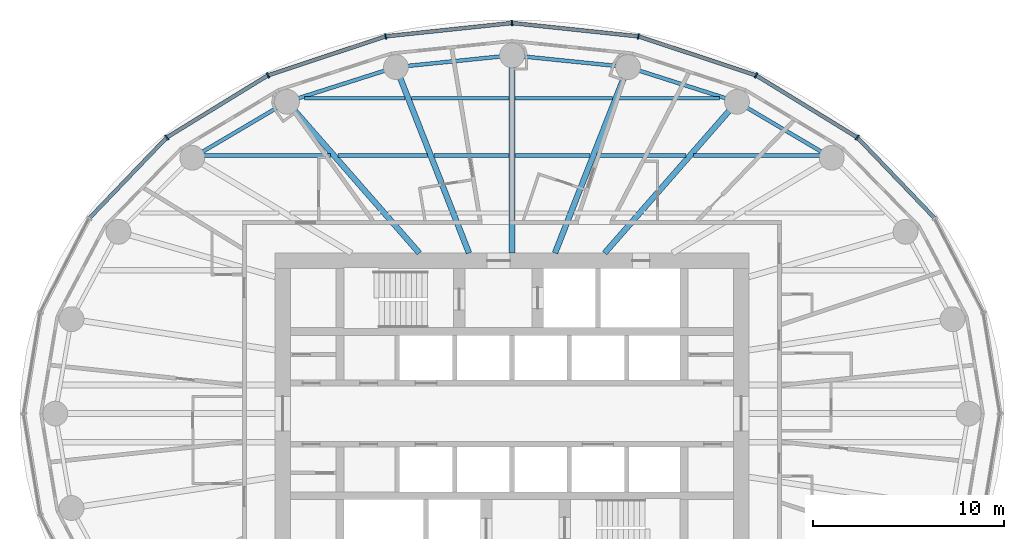
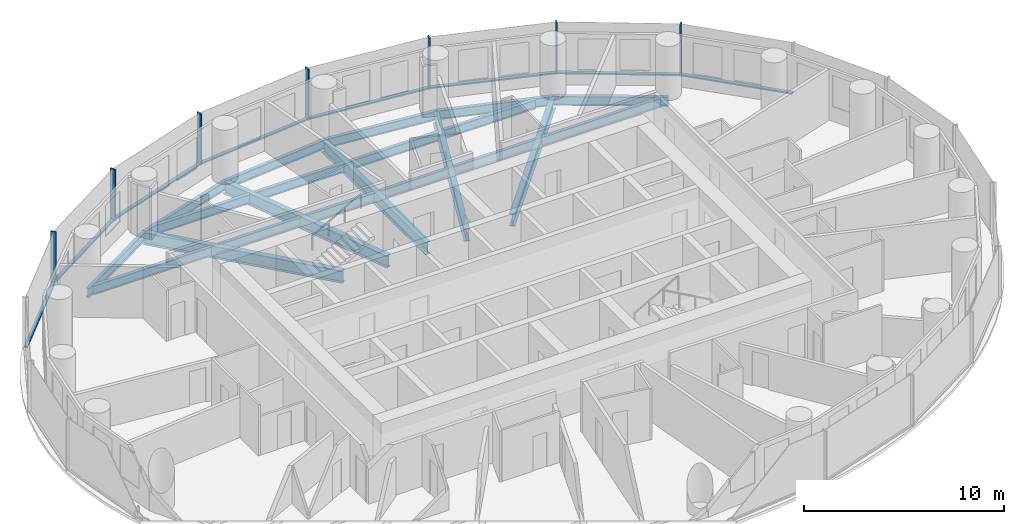
# One storey, part 4 of 13: 21 beams, 15 members, 2 elements without a shape of their own.
"""IFC4 building model written with IfcOpenShell, lengths in metres."""

from ifc_helpers import new_model, si_unit, direction, frame, origin, origin_2d, place, context, subcontext, project, spatial, rectangle, i_section, extrude, material, material_profile, profile_set, type_object, element, aggregate, save


model = new_model("IFC4")

# Units and contexts
model_context = context("Model", 3, precision=1e-05, world=origin(), true_north=direction((0.0, 1.0)))
body_context = subcontext(model_context, "Body", "Model", "MODEL_VIEW")
ifc_project = project(units=[si_unit("LENGTHUNIT", "METRE"), si_unit("AREAUNIT", "SQUARE_METRE"), si_unit("VOLUMEUNIT", "CUBIC_METRE"), si_unit("PLANEANGLEUNIT", "RADIAN"), si_unit("MASSUNIT", "GRAM", prefix="KILO")], contexts=[model_context])

# Site, building, storey
site_placement = place(None, origin())
site = spatial("IfcSite", under=ifc_project, at=site_placement, CompositionType="ELEMENT")
building_placement = place(site_placement, origin())
building = spatial("IfcBuilding", under=site, at=building_placement, Name="Hankou Lantern Tower", CompositionType="ELEMENT")
storey_placement = place(building_placement, frame((0.0, 0.0, 128.699951171875)))
storey = spatial("IfcBuildingStorey", under=building, at=storey_placement, Name="L33", CompositionType="ELEMENT", Elevation=128.699951171875)

# Beams
ifc_material_1 = material(Name="Steel Q355B", Category="steel")
ifc_material_profile_1 = material_profile(ifc_material_1, i_section(OverallWidth=0.199951171875, OverallDepth=0.550048828125, WebThickness=0.010009765625, FlangeThickness=0.01611328125, FilletRadius=0.012939453125, at=origin_2d()), Name="HN550x200x10x16")
ifc_profile_set_1 = profile_set([ifc_material_profile_1], Name="Steel Q355B")
beam_type_1 = type_object("IfcBeamType", Name="EB6 RING BEAM HN550x200x10x16", PredefinedType="SPANDREL", material=ifc_profile_set_1)
beam_1_placement = place(storey_placement, frame((16.73388671875, 13.38720703125, -0.454833984375), z_axis=(-0.860988974188, 0.508623619513, 0.0), x_axis=(-0.508623619513, -0.860988974188, 0.0)))
element("IfcBeam", 1, at=beam_1_placement, inside=storey, type_object=beam_type_1, Name="Ring beam R04-R05 L33", PredefinedType="SPANDREL", context=body_context, shape_type="SweptSolid", body=[
    extrude(i_section(OverallWidth=0.199951171875, OverallDepth=0.550048828125, WebThickness=0.010009765625, FlangeThickness=0.01611328125, FilletRadius=0.012939453125, at=origin_2d()), origin(), (0.0, 0.0, 1.0), 5.759033203125),
])
beam_2_placement = place(storey_placement, frame((11.775390625, 16.31640625, -0.454833984375), z_axis=(-0.952731090451, 0.303814860215, 0.0), x_axis=(-0.303814860215, -0.952731090451, 0.0)))
element("IfcBeam", 2, at=beam_2_placement, inside=storey, type_object=beam_type_1, Name="Ring beam R05-R06 L33", PredefinedType="SPANDREL", context=body_context, shape_type="SweptSolid", body=[
    extrude(i_section(OverallWidth=0.199951171875, OverallDepth=0.550048828125, WebThickness=0.010009765625, FlangeThickness=0.01611328125, FilletRadius=0.012939453125, at=origin_2d()), origin(), (0.0, 0.0, 1.0), 5.984375),
])
for number, where, z_axis, x_axis, name in (
    (3, (6.073974609375, 18.134521484375, -0.454833984375), (-0.994905271594, 0.100814188259, 0.0), (-0.100814188259, -0.994905271594, 0.0), "Ring beam R06-R07 L33"),
    (4, (0.0, 18.75, -0.454833984375), (-0.994905271594, -0.100814188259, 0.0), (0.100814188259, -0.994905271594, 0.0), "Ring beam R07-R08 L33"),
):
    element("IfcBeam", number, at=place(storey_placement, frame(where, z_axis=z_axis, x_axis=x_axis)), inside=storey, type_object=beam_type_1, Name=name, PredefinedType="SPANDREL", context=body_context, shape_type="SweptSolid", body=[
        extrude(i_section(OverallWidth=0.199951171875, OverallDepth=0.550048828125, WebThickness=0.010009765625, FlangeThickness=0.01611328125, FilletRadius=0.012939453125, at=origin_2d()), origin(), (0.0, 0.0, 1.0), 6.10498046875),
    ])
beam_3_placement = place(storey_placement, frame((-6.073974609375, 18.134521484375, -0.454833984375), z_axis=(-0.952731090451, -0.303814860215, 0.0), x_axis=(0.303814860215, -0.952731090451, 0.0)))
element("IfcBeam", 5, at=beam_3_placement, inside=storey, type_object=beam_type_1, Name="Ring beam R08-R09 L33", PredefinedType="SPANDREL", context=body_context, shape_type="SweptSolid", body=[
    extrude(i_section(OverallWidth=0.199951171875, OverallDepth=0.550048828125, WebThickness=0.010009765625, FlangeThickness=0.01611328125, FilletRadius=0.012939453125, at=origin_2d()), origin(), (0.0, 0.0, 1.0), 5.984375),
])
beam_4_placement = place(storey_placement, frame((-11.775390625, 16.31640625, -0.454833984375), z_axis=(-0.860988974188, -0.508623619513, 0.0), x_axis=(0.508623619513, -0.860988974188, 0.0)))
element("IfcBeam", 6, at=beam_4_placement, inside=storey, type_object=beam_type_1, Name="Ring beam R09-R10 L33", PredefinedType="SPANDREL", context=body_context, shape_type="SweptSolid", body=[
    extrude(i_section(OverallWidth=0.199951171875, OverallDepth=0.550048828125, WebThickness=0.010009765625, FlangeThickness=0.01611328125, FilletRadius=0.012939453125, at=origin_2d()), origin(), (0.0, 0.0, 1.0), 5.759033203125),
])

# Curtain wall, members
ifc_material_2 = material(Name="Glass, dark grey tinted laminated", Category="glass")
curtain_wall_type = type_object("IfcCurtainWallType", Name="CWB OUTER SKIN MID-RISE", PredefinedType="USERDEFINED", material=ifc_material_2)
curtain_wall_1_placement = place(storey_placement, origin())
curtain_wall_1 = element("IfcCurtainWall", 7, at=curtain_wall_1_placement, inside=storey, type_object=curtain_wall_type, Name="CWB L33 OS1", ObjectType="OUTER SKIN MID-RISE", PredefinedType="USERDEFINED")
ifc_material_3 = material(Name="Aluminium, black anodised", Category="aluminium")
ifc_material_profile_2 = material_profile(ifc_material_3, rectangle(XDim=0.080078125, YDim=0.300048828125, at=origin_2d()), Name="MU1 80X300")
ifc_profile_set_2 = profile_set([ifc_material_profile_2], Name="Aluminium, black anodised")
member_type_1 = type_object("IfcMemberType", Name="MU1 OUTER SKIN MULLION 80X300", PredefinedType="MULLION", material=ifc_profile_set_2)
member_1_placement = place(storey_placement, frame((18.066650390625, 14.453369140625, 0.0), z_axis=(0.0, 0.0, 1.0), x_axis=(-0.780868809444, 0.624695047553, 0.0)))
member_1 = element("IfcMember", 8, at=member_1_placement, type_object=member_type_1, Name="CWB mullion 4", PredefinedType="MULLION", context=body_context, shape_type="SweptSolid", body=[
    extrude(rectangle(XDim=0.080078125, YDim=0.300048828125, at=origin_2d()), origin(), (0.0, 0.0, 1.0), 3.1201171875),
])
member_2_placement = place(storey_placement, frame((12.77490234375, 17.70166015625, 0.0), z_axis=(0.0, 0.0, 1.0), x_axis=(-0.907841299004, 0.419313934686, 0.0)))
member_2 = element("IfcMember", 9, at=member_2_placement, type_object=member_type_1, Name="CWB mullion 5", PredefinedType="MULLION", context=body_context, shape_type="SweptSolid", body=[
    extrude(rectangle(XDim=0.080078125, YDim=0.300048828125, at=origin_2d()), origin(), (0.0, 0.0, 1.0), 3.1201171875),
])
member_3_placement = place(storey_placement, frame((6.61279296875, 19.743408203125, 0.0), z_axis=(0.0, 0.0, 1.0), x_axis=(-0.977787659625, 0.209597931016, 0.0)))
member_3 = element("IfcMember", 10, at=member_3_placement, type_object=member_type_1, Name="CWB mullion 6", PredefinedType="MULLION", context=body_context, shape_type="SweptSolid", body=[
    extrude(rectangle(XDim=0.080078125, YDim=0.300048828125, at=origin_2d()), origin(), (0.0, 0.0, 1.0), 3.1201171875),
])

curtain_wall_2_placement = place(storey_placement, origin())
curtain_wall_2 = element("IfcCurtainWall", 11, at=curtain_wall_2_placement, inside=storey, type_object=curtain_wall_type, Name="CWB L33 OS2", ObjectType="OUTER SKIN MID-RISE", PredefinedType="USERDEFINED")
member_4_placement = place(storey_placement, frame((0.0, 20.43994140625, 0.0), z_axis=(0.0, 0.0, 1.0), x_axis=(-0.994499359107, -0.104742659579, 0.0)))
member_4 = element("IfcMember", 12, at=member_4_placement, type_object=member_type_1, Name="CWB mullion 1", PredefinedType="MULLION", context=body_context, shape_type="SweptSolid", body=[
    extrude(rectangle(XDim=0.080078125, YDim=0.300048828125, at=origin_2d()), origin(), (0.0, 0.0, 1.0), 3.1201171875),
])
member_5_placement = place(storey_placement, frame((-6.61279296875, 19.743408203125, 0.0), z_axis=(0.0, 0.0, 1.0), x_axis=(-0.977787659625, -0.209597931016, 0.0)))
member_5 = element("IfcMember", 13, at=member_5_placement, type_object=member_type_1, Name="CWB mullion 2", PredefinedType="MULLION", context=body_context, shape_type="SweptSolid", body=[
    extrude(rectangle(XDim=0.080078125, YDim=0.300048828125, at=origin_2d()), origin(), (0.0, 0.0, 1.0), 3.1201171875),
])
member_6_placement = place(storey_placement, frame((-12.77490234375, 17.70166015625, 0.0), z_axis=(0.0, 0.0, 1.0), x_axis=(-0.907841299004, -0.419313934686, 0.0)))
member_6 = element("IfcMember", 14, at=member_6_placement, type_object=member_type_1, Name="CWB mullion 3", PredefinedType="MULLION", context=body_context, shape_type="SweptSolid", body=[
    extrude(rectangle(XDim=0.080078125, YDim=0.300048828125, at=origin_2d()), origin(), (0.0, 0.0, 1.0), 3.1201171875),
])
member_7_placement = place(storey_placement, frame((-18.066650390625, 14.453369140625, 0.0), z_axis=(0.0, 0.0, 1.0), x_axis=(-0.780868809444, -0.624695047553, 0.0)))
member_7 = element("IfcMember", 15, at=member_7_placement, type_object=member_type_1, Name="CWB mullion 4", PredefinedType="MULLION", context=body_context, shape_type="SweptSolid", body=[
    extrude(rectangle(XDim=0.080078125, YDim=0.300048828125, at=origin_2d()), origin(), (0.0, 0.0, 1.0), 3.1201171875),
])

# Beams
ifc_material_4 = material(Name="Steel Q355B", Category="steel")
ifc_material_profile_3 = material_profile(ifc_material_4, i_section(OverallWidth=0.300048828125, OverallDepth=0.75, WebThickness=0.012939453125, FlangeThickness=0.02392578125, FilletRadius=0.01806640625, at=origin_2d()), Name="HN750x300x13x24")
ifc_profile_set_3 = profile_set([ifc_material_profile_3], Name="Steel Q355B")
beam_type_2 = type_object("IfcBeamType", Name="RB10 RADIAL BEAM HN750x300x13x24", PredefinedType="BEAM", material=ifc_profile_set_3)
beam_5_placement = place(storey_placement, frame((4.849853515625, 8.39990234375, -0.554931640625), z_axis=(0.658429014446, 0.752642832249, 0.0), x_axis=(-0.752642832249, 0.658429014446, 0.0)))
element("IfcBeam", 16, at=beam_5_placement, inside=storey, type_object=beam_type_2, Name="Radial beam R05 L33", PredefinedType="BEAM", context=body_context, shape_type="SweptSolid", body=[
    extrude(i_section(OverallWidth=0.300048828125, OverallDepth=0.75, WebThickness=0.012939453125, FlangeThickness=0.02392578125, FilletRadius=0.01806640625, at=origin_2d()), origin(), (0.0, 0.0, 1.0), 10.518310546875),
])
beam_6_placement = place(storey_placement, frame((2.250732421875, 8.39990234375, -0.554931640625), z_axis=(0.365563535437, 0.930786388791, 0.0), x_axis=(-0.930786388791, 0.365563535437, 0.0)))
element("IfcBeam", 17, at=beam_6_placement, inside=storey, type_object=beam_type_2, Name="Radial beam R06 L33", PredefinedType="BEAM", context=body_context, shape_type="SweptSolid", body=[
    extrude(i_section(OverallWidth=0.300048828125, OverallDepth=0.75, WebThickness=0.012939453125, FlangeThickness=0.02392578125, FilletRadius=0.01806640625, at=origin_2d()), origin(), (0.0, 0.0, 1.0), 10.45849609375),
])
beam_7_placement = place(storey_placement, frame((0.0, 8.39990234375, -0.554931640625), z_axis=(0.0, 1.0, 0.0), x_axis=(-1.0, 0.0, 0.0)))
element("IfcBeam", 18, at=beam_7_placement, inside=storey, type_object=beam_type_2, Name="Radial beam R07 L33", PredefinedType="BEAM", context=body_context, shape_type="SweptSolid", body=[
    extrude(i_section(OverallWidth=0.300048828125, OverallDepth=0.75, WebThickness=0.012939453125, FlangeThickness=0.02392578125, FilletRadius=0.01806640625, at=origin_2d()), origin(), (0.0, 0.0, 1.0), 10.35009765625),
])
beam_8_placement = place(storey_placement, frame((-2.250732421875, 8.39990234375, -0.554931640625), z_axis=(-0.365563535437, 0.930786388791, 0.0), x_axis=(-0.930786388791, -0.365563535437, 0.0)))
element("IfcBeam", 19, at=beam_8_placement, inside=storey, type_object=beam_type_2, Name="Radial beam R08 L33", PredefinedType="BEAM", context=body_context, shape_type="SweptSolid", body=[
    extrude(i_section(OverallWidth=0.300048828125, OverallDepth=0.75, WebThickness=0.012939453125, FlangeThickness=0.02392578125, FilletRadius=0.01806640625, at=origin_2d()), origin(), (0.0, 0.0, 1.0), 10.45849609375),
])
beam_9_placement = place(storey_placement, frame((-4.849853515625, 8.39990234375, -0.554931640625), z_axis=(-0.658429014446, 0.752642832249, 0.0), x_axis=(-0.752642832249, -0.658429014446, 0.0)))
element("IfcBeam", 20, at=beam_9_placement, inside=storey, type_object=beam_type_2, Name="Radial beam R09 L33", PredefinedType="BEAM", context=body_context, shape_type="SweptSolid", body=[
    extrude(i_section(OverallWidth=0.300048828125, OverallDepth=0.75, WebThickness=0.012939453125, FlangeThickness=0.02392578125, FilletRadius=0.01806640625, at=origin_2d()), origin(), (0.0, 0.0, 1.0), 10.518310546875),
])
ifc_material_5 = material(Name="Steel Q355B", Category="steel")
ifc_material_profile_4 = material_profile(ifc_material_5, i_section(OverallWidth=0.199951171875, OverallDepth=0.550048828125, WebThickness=0.010009765625, FlangeThickness=0.01611328125, FilletRadius=0.012939453125, at=origin_2d()), Name="HN550x200x10x16")
ifc_profile_set_4 = profile_set([ifc_material_profile_4], Name="Steel Q355B")
beam_type_3 = type_object("IfcBeamType", Name="SB6 SECONDARY BEAM HN550x200x10x16", PredefinedType="JOIST", material=ifc_profile_set_4)
beam_10_placement = place(storey_placement, frame((-16.34619140625, 13.5, -0.454833984375), z_axis=(1.0, 0.0, 0.0), x_axis=(0.0, 1.0, 0.0)))
element("IfcBeam", 21, at=beam_10_placement, inside=storey, type_object=beam_type_3, Name="Floor joist J043 L33", PredefinedType="JOIST", context=body_context, shape_type="SweptSolid", body=[
    extrude(i_section(OverallWidth=0.199951171875, OverallDepth=0.550048828125, WebThickness=0.010009765625, FlangeThickness=0.01611328125, FilletRadius=0.012939453125, at=origin_2d()), origin(), (0.0, 0.0, 1.0), 6.83544921875),
])
beam_11_placement = place(storey_placement, frame((-9.112060546875, 13.5, -0.454833984375), z_axis=(1.0, 0.0, 0.0), x_axis=(0.0, 1.0, 0.0)))
element("IfcBeam", 22, at=beam_11_placement, inside=storey, type_object=beam_type_3, Name="Floor joist J044 L33", PredefinedType="JOIST", context=body_context, shape_type="SweptSolid", body=[
    extrude(i_section(OverallWidth=0.199951171875, OverallDepth=0.550048828125, WebThickness=0.010009765625, FlangeThickness=0.01611328125, FilletRadius=0.012939453125, at=origin_2d()), origin(), (0.0, 0.0, 1.0), 4.697021484375),
])
for number, where, z_axis, x_axis, name in (
    (23, (-4.092529296875, 13.5, -0.454833984375), (1.0, 0.0, 0.0), (0.0, 1.0, 0.0), "Floor joist J045 L33"),
    (24, (0.14990234375, 13.5, -0.454833984375), (1.0, 0.0, 0.0), (0.0, 1.0, 0.0), "Floor joist J046 L33"),
):
    element("IfcBeam", number, at=place(storey_placement, frame(where, z_axis=z_axis, x_axis=x_axis)), inside=storey, type_object=beam_type_3, Name=name, PredefinedType="JOIST", context=body_context, shape_type="SweptSolid", body=[
        extrude(i_section(OverallWidth=0.199951171875, OverallDepth=0.550048828125, WebThickness=0.010009765625, FlangeThickness=0.01611328125, FilletRadius=0.012939453125, at=origin_2d()), origin(), (0.0, 0.0, 1.0), 3.942626953125),
    ])
beam_12_placement = place(storey_placement, frame((4.4150390625, 13.5, -0.454833984375), z_axis=(1.0, 0.0, 0.0), x_axis=(0.0, 1.0, 0.0)))
element("IfcBeam", 25, at=beam_12_placement, inside=storey, type_object=beam_type_3, Name="Floor joist J047 L33", PredefinedType="JOIST", context=body_context, shape_type="SweptSolid", body=[
    extrude(i_section(OverallWidth=0.199951171875, OverallDepth=0.550048828125, WebThickness=0.010009765625, FlangeThickness=0.01611328125, FilletRadius=0.012939453125, at=origin_2d()), origin(), (0.0, 0.0, 1.0), 4.697021484375),
])
beam_13_placement = place(storey_placement, frame((9.5107421875, 13.5, -0.454833984375), z_axis=(1.0, 0.0, 0.0), x_axis=(0.0, 1.0, 0.0)))
element("IfcBeam", 26, at=beam_13_placement, inside=storey, type_object=beam_type_3, Name="Floor joist J048 L33", PredefinedType="JOIST", context=body_context, shape_type="SweptSolid", body=[
    extrude(i_section(OverallWidth=0.199951171875, OverallDepth=0.550048828125, WebThickness=0.010009765625, FlangeThickness=0.01611328125, FilletRadius=0.012939453125, at=origin_2d()), origin(), (0.0, 0.0, 1.0), 6.83544921875),
])
beam_14_placement = place(storey_placement, frame((-10.8701171875, 16.5, -0.454833984375), z_axis=(1.0, 0.0, 0.0), x_axis=(0.0, 1.0, 0.0)))
element("IfcBeam", 27, at=beam_14_placement, inside=storey, type_object=beam_type_3, Name="Floor joist J049 L33", PredefinedType="JOIST", context=body_context, shape_type="SweptSolid", body=[
    extrude(i_section(OverallWidth=0.199951171875, OverallDepth=0.550048828125, WebThickness=0.010009765625, FlangeThickness=0.01611328125, FilletRadius=0.012939453125, at=origin_2d()), origin(), (0.0, 0.0, 1.0), 5.27685546875),
])
for number, where, z_axis, x_axis, name in (
    (28, (-5.270751953125, 16.5, -0.454833984375), (1.0, 0.0, 0.0), (0.0, 1.0, 0.0), "Floor joist J050 L33"),
    (29, (0.14990234375, 16.5, -0.454833984375), (1.0, 0.0, 0.0), (0.0, 1.0, 0.0), "Floor joist J051 L33"),
):
    element("IfcBeam", number, at=place(storey_placement, frame(where, z_axis=z_axis, x_axis=x_axis)), inside=storey, type_object=beam_type_3, Name=name, PredefinedType="JOIST", context=body_context, shape_type="SweptSolid", body=[
        extrude(i_section(OverallWidth=0.199951171875, OverallDepth=0.550048828125, WebThickness=0.010009765625, FlangeThickness=0.01611328125, FilletRadius=0.012939453125, at=origin_2d()), origin(), (0.0, 0.0, 1.0), 5.120849609375),
    ])
beam_15_placement = place(storey_placement, frame((5.59326171875, 16.5, -0.454833984375), z_axis=(1.0, 0.0, 0.0), x_axis=(0.0, 1.0, 0.0)))
element("IfcBeam", 30, at=beam_15_placement, inside=storey, type_object=beam_type_3, Name="Floor joist J052 L33", PredefinedType="JOIST", context=body_context, shape_type="SweptSolid", body=[
    extrude(i_section(OverallWidth=0.199951171875, OverallDepth=0.550048828125, WebThickness=0.010009765625, FlangeThickness=0.01611328125, FilletRadius=0.012939453125, at=origin_2d()), origin(), (0.0, 0.0, 1.0), 5.27685546875),
])

# Member
ifc_material_6 = material(Name="Aluminium, black anodised", Category="aluminium")
ifc_material_profile_5 = material_profile(ifc_material_6, rectangle(XDim=0.199951171875, YDim=0.080078125, at=origin_2d()), Name="TR1 200X80")
ifc_profile_set_5 = profile_set([ifc_material_profile_5], Name="Aluminium, black anodised")
member_type_2 = type_object("IfcMemberType", Name="TR1 OUTER SKIN TRANSOM 200X80", PredefinedType="USERDEFINED", material=ifc_profile_set_5)
member_8_placement = place(storey_placement, frame((22.099365234375, 10.248779296875, 0.0400390625), z_axis=(-0.692226977748, 0.721679853729, 0.0), x_axis=(-0.721679853729, -0.692226977748, 0.0)))
member_8 = element("IfcMember", 31, at=member_8_placement, type_object=member_type_2, Name="CWB transom 3", ObjectType="TRANSOM", PredefinedType="USERDEFINED", context=body_context, shape_type="SweptSolid", body=[
    extrude(rectangle(XDim=0.199951171875, YDim=0.080078125, at=origin_2d()), origin(), (0.0, 0.0, 1.0), 5.785888671875),
])

member_9_placement = place(storey_placement, frame((18.032470703125, 14.47412109375, 0.0400390625), z_axis=(-0.852229492169, 0.523168130411, 0.0), x_axis=(-0.523168130411, -0.852229492169, 0.0)))
member_9 = element("IfcMember", 32, at=member_9_placement, type_object=member_type_2, Name="CWB transom 4", ObjectType="TRANSOM", PredefinedType="USERDEFINED", context=body_context, shape_type="SweptSolid", body=[
    extrude(rectangle(XDim=0.199951171875, YDim=0.080078125, at=origin_2d()), origin(), (0.0, 0.0, 1.0), 6.129150390625),
])

member_10_placement = place(storey_placement, frame((12.737060546875, 17.714111328125, 0.0400390625), z_axis=(-0.949237765745, 0.314559476225, 0.0), x_axis=(-0.314559476225, -0.949237765745, 0.0)))
member_10 = element("IfcMember", 33, at=member_10_placement, type_object=member_type_2, Name="CWB transom 5", ObjectType="TRANSOM", PredefinedType="USERDEFINED", context=body_context, shape_type="SweptSolid", body=[
    extrude(rectangle(XDim=0.199951171875, YDim=0.080078125, at=origin_2d()), origin(), (0.0, 0.0, 1.0), 6.41162109375),
])

member_11_placement = place(storey_placement, frame((6.572998046875, 19.747802734375, 0.0400390625), z_axis=(-0.994500972001, 0.10472734451, 0.0), x_axis=(-0.10472734451, -0.994500972001, 0.0)))
member_11 = element("IfcMember", 34, at=member_11_placement, type_object=member_type_2, Name="CWB transom 6", ObjectType="TRANSOM", PredefinedType="USERDEFINED", context=body_context, shape_type="SweptSolid", body=[
    extrude(rectangle(XDim=0.199951171875, YDim=0.080078125, at=origin_2d()), origin(), (0.0, 0.0, 1.0), 6.5693359375),
])

aggregate(curtain_wall_1, [member_1, member_2, member_3, member_8, member_9, member_10, member_11])

member_12_placement = place(storey_placement, frame((-0.039794921875, 20.435791015625, 0.0400390625), z_axis=(-0.994500972001, -0.10472734451, 0.0), x_axis=(0.10472734451, -0.994500972001, 0.0)))
member_12 = element("IfcMember", 35, at=member_12_placement, type_object=member_type_2, Name="CWB transom 1", ObjectType="TRANSOM", PredefinedType="USERDEFINED", context=body_context, shape_type="SweptSolid", body=[
    extrude(rectangle(XDim=0.199951171875, YDim=0.080078125, at=origin_2d()), origin(), (0.0, 0.0, 1.0), 6.5693359375),
])

member_13_placement = place(storey_placement, frame((-6.65087890625, 19.73095703125, 0.0400390625), z_axis=(-0.949237765745, -0.314559476225, 0.0), x_axis=(0.314559476225, -0.949237765745, 0.0)))
member_13 = element("IfcMember", 36, at=member_13_placement, type_object=member_type_2, Name="CWB transom 2", ObjectType="TRANSOM", PredefinedType="USERDEFINED", context=body_context, shape_type="SweptSolid", body=[
    extrude(rectangle(XDim=0.199951171875, YDim=0.080078125, at=origin_2d()), origin(), (0.0, 0.0, 1.0), 6.41162109375),
])

member_14_placement = place(storey_placement, frame((-12.80908203125, 17.6806640625, 0.0400390625), z_axis=(-0.852229492169, -0.523168130411, 0.0), x_axis=(0.523168130411, -0.852229492169, 0.0)))
member_14 = element("IfcMember", 37, at=member_14_placement, type_object=member_type_2, Name="CWB transom 3", ObjectType="TRANSOM", PredefinedType="USERDEFINED", context=body_context, shape_type="SweptSolid", body=[
    extrude(rectangle(XDim=0.199951171875, YDim=0.080078125, at=origin_2d()), origin(), (0.0, 0.0, 1.0), 6.129150390625),
])

member_15_placement = place(storey_placement, frame((-18.09423828125, 14.42431640625, 0.0400390625), z_axis=(-0.692226977748, -0.721679853729, 0.0), x_axis=(0.721679853729, -0.692226977748, 0.0)))
member_15 = element("IfcMember", 38, at=member_15_placement, type_object=member_type_2, Name="CWB transom 4", ObjectType="TRANSOM", PredefinedType="USERDEFINED", context=body_context, shape_type="SweptSolid", body=[
    extrude(rectangle(XDim=0.199951171875, YDim=0.080078125, at=origin_2d()), origin(), (0.0, 0.0, 1.0), 5.785888671875),
])

aggregate(curtain_wall_2, [member_4, member_5, member_6, member_7, member_12, member_13, member_14, member_15])

save(model, "model.ifc")
